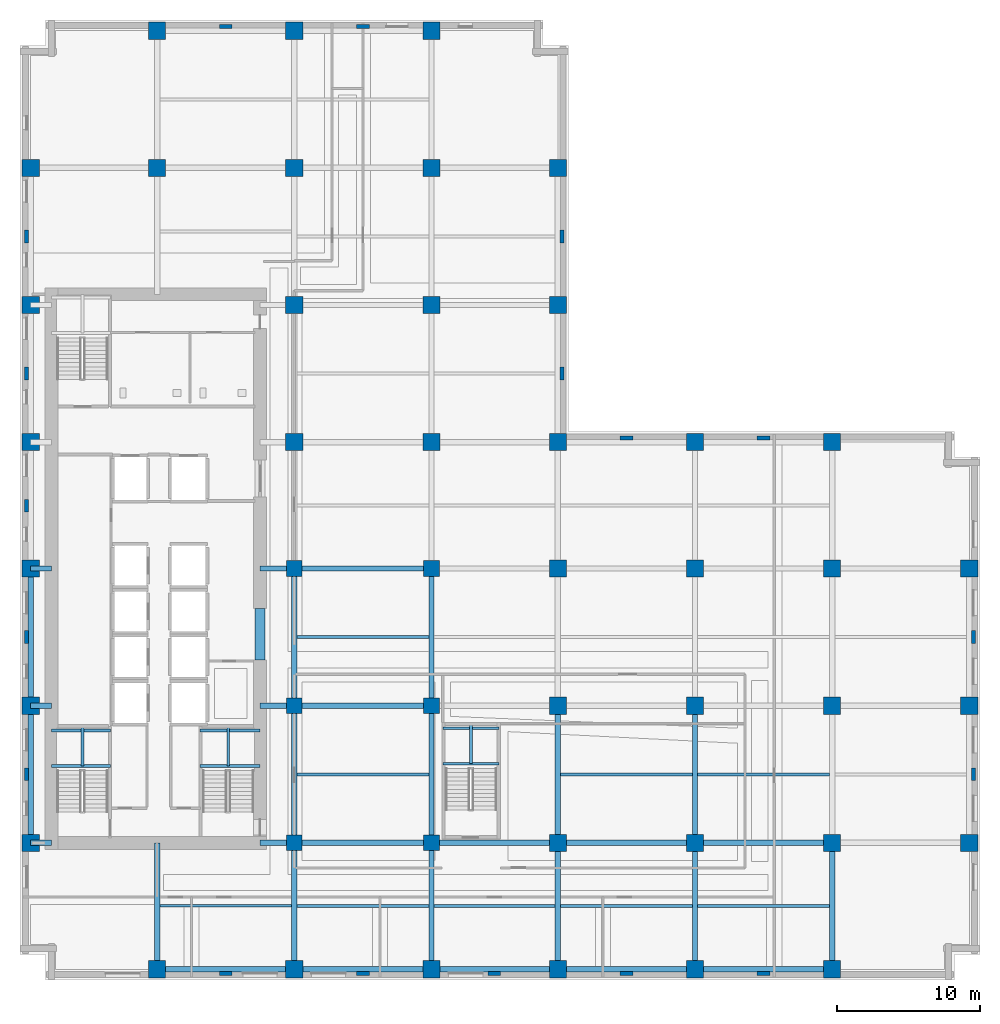
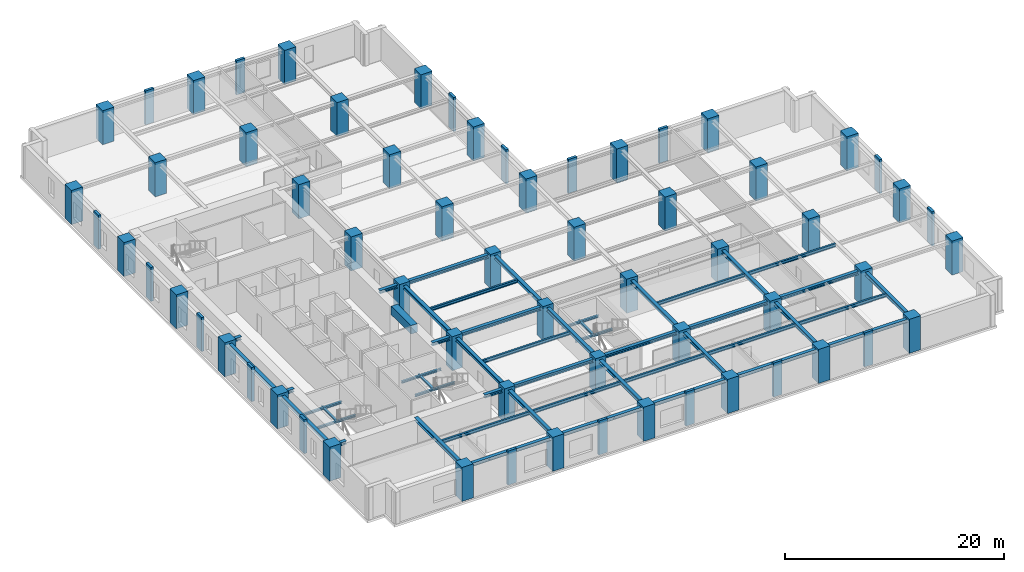
# One storey, part 1 of 13: 63 columns, 50 beams.
"""IFC4 building model written with IfcOpenShell, lengths in metres."""

import ifcopenshell
import ifcopenshell.guid

model = None  # the IFC model being written
_history = None  # IfcOwnerHistory: only IFC2X3 demands one
_inside = {}  # id of a spatial element -> (the spatial element, [elements in it])
_under = {}  # id of a project, library or spatial element -> (it, [spatial elements below it])
_declared = {}  # id of a project -> (the project, [libraries it declares])
_typed = {}  # id of a type object -> (the type object, [elements of that type])
_made_of = {}  # id of a material, layer set ... -> (it, [elements and type objects made of it])


def new_model(schema):
    """Start an empty IFC model of exactly this schema.

    Asked for "IFC4X3", IfcOpenShell would pick the latest addendum, in which some entities
    have other attributes; the version numbers below select the first issue.
    IFC2X3 requires an IfcOwnerHistory on every rooted entity: one is made here for all.
    """
    global model, _history
    if schema == "IFC4X3":
        model = ifcopenshell.file(schema_version=(4, 3, 0, 0))
    else:
        model = ifcopenshell.file(schema=schema)
    _inside.clear()
    _under.clear()
    _declared.clear()
    _typed.clear()
    _made_of.clear()
    _history = None
    if model.schema == "IFC2X3":
        org = make("IfcOrganization", Name="unknown")
        user = make(
            "IfcPersonAndOrganization",
            ThePerson=make("IfcPerson", FamilyName="unknown"),
            TheOrganization=org,
        )
        app = make(
            "IfcApplication",
            ApplicationDeveloper=org,
            Version="unknown",
            ApplicationFullName="unknown",
            ApplicationIdentifier="unknown",
        )
        _history = make(
            "IfcOwnerHistory",
            OwningUser=user,
            OwningApplication=app,
            ChangeAction="ADDED",
            CreationDate=0,
        )
    return model


def make(cls, **values):
    """One entity of the class cls with the attributes given. An attribute that is None is left unset."""
    return model.create_entity(
        cls, **{name: value for name, value in values.items() if value is not None}
    )


def rooted(cls, **values):
    """An entity with a GlobalId (a new one), such as an element, a storey or a relation."""
    return make(cls, GlobalId=ifcopenshell.guid.new(), OwnerHistory=_history, **values)


def si_unit(unit_type, name, prefix=None):
    """IfcSIUnit, for example si_unit("LENGTHUNIT", "METRE", prefix="MILLI")."""
    return make("IfcSIUnit", UnitType=unit_type, Prefix=prefix, Name=name)


def assignment(units):
    """IfcUnitAssignment: the units of a project."""
    return None if units is None else make("IfcUnitAssignment", Units=units)


def point(xyz):
    """IfcCartesianPoint."""
    return None if xyz is None else make("IfcCartesianPoint", Coordinates=xyz)


def direction(xyz):
    """IfcDirection."""
    return None if xyz is None else make("IfcDirection", DirectionRatios=xyz)


def frame(location, z_axis=None, x_axis=None):
    """IfcAxis2Placement3D, a coordinate frame: its origin and axes. An axis left out is left unset."""
    return make(
        "IfcAxis2Placement3D",
        Location=point(location),
        Axis=direction(z_axis),
        RefDirection=direction(x_axis),
    )


def frame_2d(location, x_axis=None):
    """IfcAxis2Placement2D, a coordinate frame in the plane: its origin and x axis."""
    return make(
        "IfcAxis2Placement2D", Location=point(location), RefDirection=direction(x_axis)
    )


def origin():
    """The frame at (0, 0, 0) with its axes left unset."""
    return frame((0.0, 0.0, 0.0))


def origin_2d():
    """The frame at (0, 0) in the plane with its x axis left unset."""
    return frame_2d((0.0, 0.0))


def place(relative_to, where):
    """IfcLocalPlacement: puts the frame where relative to a parent placement (None: the world)."""
    return make(
        "IfcLocalPlacement", PlacementRelTo=relative_to, RelativePlacement=where
    )


def context(
    kind, dimensions, precision=None, world=None, true_north=None, identifier=None
):
    """IfcGeometricRepresentationContext, for example the 3D "Model" context."""
    return make(
        "IfcGeometricRepresentationContext",
        ContextIdentifier=identifier,
        ContextType=kind,
        CoordinateSpaceDimension=dimensions,
        Precision=precision,
        WorldCoordinateSystem=world,
        TrueNorth=true_north,
    )


def subcontext(parent, identifier, kind, view, scale=None):
    """IfcGeometricRepresentationSubContext, for example "Body" below "Model"."""
    return make(
        "IfcGeometricRepresentationSubContext",
        ContextIdentifier=identifier,
        ContextType=kind,
        ParentContext=parent,
        TargetScale=scale,
        TargetView=view,
    )


def project(units=None, contexts=None):
    """IfcProject with its units and contexts."""
    return rooted(
        "IfcProject",
        Name="project",
        RepresentationContexts=contexts,
        UnitsInContext=assignment(units),
    )


def spatial(cls, under=None, at=None, **own):
    """A site, building, storey or space (cls), placed at a placement, below another one or the project."""
    s = rooted(cls, ObjectPlacement=at, **own)
    if under is not None:
        _under.setdefault(under.id(), (under, []))[1].append(s)
    return s


def profile(cls, at=None, kind="AREA", **sizes):
    """A parametric profile (cls). Its sizes go by their IFC names, for example OverallWidth=200.0."""
    return make(cls, ProfileType=kind, Position=at, **sizes)


def rectangle(**sizes):
    """IfcRectangleProfileDef."""
    return profile("IfcRectangleProfileDef", **sizes)


def i_section(**sizes):
    """IfcIShapeProfileDef."""
    return profile("IfcIShapeProfileDef", **sizes)


def extrude(swept, where, along, depth):
    """IfcExtrudedAreaSolid: the profile swept, set in the frame where, extruded along a direction by depth."""
    return make(
        "IfcExtrudedAreaSolid",
        SweptArea=swept,
        Position=where,
        ExtrudedDirection=direction(along),
        Depth=depth,
    )


def shape(context_of_items, identifier, shape_type, items):
    """IfcShapeRepresentation: the items that make up one representation, for example the "Body"."""
    return make(
        "IfcShapeRepresentation",
        ContextOfItems=context_of_items,
        RepresentationIdentifier=identifier,
        RepresentationType=shape_type,
        Items=items,
    )


def material(Name=None, Category=None):
    """IfcMaterial."""
    return make("IfcMaterial", Name=Name, Category=Category)


def material_profile(
    of_material, cross_section, Name=None, Category=None, Priority=None
):
    """IfcMaterialProfile: a cross section and its material."""
    return make(
        "IfcMaterialProfile",
        Name=Name,
        Material=of_material,
        Profile=cross_section,
        Priority=Priority,
        Category=Category,
    )


def profile_set(profiles, Name=None, composite=None):
    """IfcMaterialProfileSet."""
    return make(
        "IfcMaterialProfileSet",
        Name=Name,
        MaterialProfiles=profiles,
        CompositeProfile=composite,
    )


def made_of(thing, what):
    """Note that an element or type object is made of a material, layer set ...; save() writes the relation."""
    if what is not None:
        _made_of.setdefault(what.id(), (what, []))[1].append(thing)
    return thing


def type_object(cls, material=None, **own):
    """A type object (cls), such as IfcWallType, which elements share."""
    return made_of(rooted(cls, **own), material)


def element(
    cls,
    number,
    at=None,
    inside=None,
    cuts=None,
    type_object=None,
    material=None,
    context=None,
    identifier="Body",
    shape_type=None,
    held_by="IfcProductDefinitionShape",
    body=None,
    shapes=None,
    **own,
):
    """One element of the class cls, such as IfcWall. Its Tag is "e" and its number.

    at: its placement. inside: the storey or other place that contains it. cuts: it is an
    opening in that element (IfcRelVoidsElement). A single representation is given by context,
    identifier, shape_type and body (its items); several are given by shapes. held_by: the class
    of the entity that holds the representations. save() writes the other relations.
    """
    e = rooted(cls, Tag="e%d" % number, ObjectPlacement=at, **own)
    if body is not None:
        shapes = [shape(context, identifier, shape_type, body)]
    if shapes is not None:
        e.Representation = make(held_by, Representations=shapes)
    if inside is not None:
        _inside.setdefault(inside.id(), (inside, []))[1].append(e)
    if cuts is not None:
        rooted(
            "IfcRelVoidsElement", RelatingBuildingElement=cuts, RelatedOpeningElement=e
        )
    if type_object is not None:
        _typed.setdefault(type_object.id(), (type_object, []))[1].append(e)
    return made_of(e, material)


def aggregate(whole, parts):
    """IfcRelAggregates: a whole, such as a stair, and the parts it consists of."""
    return rooted("IfcRelAggregates", RelatingObject=whole, RelatedObjects=parts)


def save(model, path):
    """Write the relations noted so far, then the file.

    IfcRelAggregates (storeys below a building ...), IfcRelContainedInSpatialStructure (elements
    in a storey), IfcRelDefinesByType, IfcRelAssociatesMaterial and IfcRelDeclares: one each for
    every whole, place, type object, material and project.
    """
    for whole, parts in _under.values():
        aggregate(whole, parts)
    for where, things in _inside.values():
        rooted(
            "IfcRelContainedInSpatialStructure",
            RelatedElements=things,
            RelatingStructure=where,
        )
    for kind, things in _typed.values():
        rooted("IfcRelDefinesByType", RelatedObjects=things, RelatingType=kind)
    for what, things in _made_of.values():
        rooted("IfcRelAssociatesMaterial", RelatedObjects=things, RelatingMaterial=what)
    for by, libraries in _declared.values():
        rooted("IfcRelDeclares", RelatingContext=by, RelatedDefinitions=libraries)
    model.write(path)


model = new_model("IFC4")

# Units and contexts
model_context = context("Model", 3, precision=1e-05, world=origin(), true_north=direction((0.0, 1.0)))
body_context = subcontext(model_context, "Body", "Model", "MODEL_VIEW")
ifc_project = project(units=[si_unit("LENGTHUNIT", "METRE"), si_unit("AREAUNIT", "SQUARE_METRE"), si_unit("VOLUMEUNIT", "CUBIC_METRE"), si_unit("PLANEANGLEUNIT", "RADIAN"), si_unit("MASSUNIT", "GRAM", prefix="KILO")], contexts=[model_context])

# Site, building, storey
site_placement = place(None, origin())
site = spatial("IfcSite", under=ifc_project, at=site_placement, CompositionType="ELEMENT")
building_placement = place(site_placement, origin())
building = spatial("IfcBuilding", under=site, at=building_placement, Name="Norrvale University Quadrangle", CompositionType="ELEMENT")
storey_placement = place(building_placement, frame((0.0, 0.0, 43.199951171875)))
storey = spatial("IfcBuildingStorey", under=building, at=storey_placement, Name="L10", CompositionType="ELEMENT", Elevation=43.199951171875)

# Columns
ifc_material_1 = material(Name="Buff Brick Concrete C60/75", Category="concrete")
ifc_material_profile_1 = material_profile(ifc_material_1, rectangle(XDim=0.89990234375, YDim=0.280029296875, at=origin_2d()), Name="Buff Brick Concrete C60/75")
ifc_profile_set_1 = profile_set([ifc_material_profile_1], Name="Buff Brick Concrete C60/75")
column_type_1 = type_object("IfcColumnType", Name="Column Buff Pier 900x280", PredefinedType="PILASTER", material=ifc_profile_set_1)
for number, where, z_axis, x_axis, name in (
    (1, (0.449951171875, 14.39990234375, 0.0), (0.0, 0.0, 1.0), (0.0, 1.0, 0.0), "Exterior Brick Facade Pilaster L10-01"),
    (2, (0.449951171875, 24.0, 0.0), (0.0, 0.0, 1.0), (0.0, 1.0, 0.0), "Exterior Brick Facade Pilaster L10-02"),
    (3, (0.449951171875, 33.199951171875, 0.0), (0.0, 0.0, 1.0), (0.0, 1.0, 0.0), "Exterior Brick Facade Pilaster L10-03"),
    (4, (0.449951171875, 42.449951171875, 0.0), (0.0, 0.0, 1.0), (0.0, 1.0, 0.0), "Exterior Brick Facade Pilaster L10-04"),
    (5, (0.449951171875, 52.050048828125, 0.0), (0.0, 0.0, 1.0), (0.0, 1.0, 0.0), "Exterior Brick Facade Pilaster L10-05"),
    (6, (14.39990234375, 0.449951171875, 0.0), (0.0, 0.0, 1.0), (1.0, 0.0, 0.0), "Exterior Brick Facade Pilaster L10-06"),
    (7, (24.0, 0.449951171875, 0.0), (0.0, 0.0, 1.0), (1.0, 0.0, 0.0), "Exterior Brick Facade Pilaster L10-07"),
    (8, (33.199951171875, 0.449951171875, 0.0), (0.0, 0.0, 1.0), (1.0, 0.0, 0.0), "Exterior Brick Facade Pilaster L10-08"),
    (9, (42.449951171875, 0.449951171875, 0.0), (0.0, 0.0, 1.0), (1.0, 0.0, 0.0), "Exterior Brick Facade Pilaster L10-09"),
    (10, (52.050048828125, 0.449951171875, 0.0), (0.0, 0.0, 1.0), (1.0, 0.0, 0.0), "Exterior Brick Facade Pilaster L10-10"),
    (11, (66.75, 14.39990234375, 0.0), (0.0, 0.0, 1.0), (0.0, 1.0, 0.0), "Exterior Brick Facade Pilaster L10-11"),
    (12, (66.75, 24.0, 0.0), (0.0, 0.0, 1.0), (0.0, 1.0, 0.0), "Exterior Brick Facade Pilaster L10-12"),
    (13, (14.39990234375, 66.75, 0.0), (0.0, 0.0, 1.0), (1.0, 0.0, 0.0), "Exterior Brick Facade Pilaster L10-13"),
    (14, (24.0, 66.75, 0.0), (0.0, 0.0, 1.0), (1.0, 0.0, 0.0), "Exterior Brick Facade Pilaster L10-14"),
    (15, (37.949951171875, 42.449951171875, 0.0), (0.0, 0.0, 1.0), (0.0, 1.0, 0.0), "Exterior Brick Facade Pilaster L10-15"),
    (16, (37.949951171875, 52.050048828125, 0.0), (0.0, 0.0, 1.0), (0.0, 1.0, 0.0), "Exterior Brick Facade Pilaster L10-16"),
    (17, (42.449951171875, 37.949951171875, 0.0), (0.0, 0.0, 1.0), (1.0, 0.0, 0.0), "Exterior Brick Facade Pilaster L10-17"),
    (18, (52.050048828125, 37.949951171875, 0.0), (0.0, 0.0, 1.0), (1.0, 0.0, 0.0), "Exterior Brick Facade Pilaster L10-18"),
):
    element("IfcColumn", number, at=place(storey_placement, frame(where, z_axis=z_axis, x_axis=x_axis)), inside=storey, type_object=column_type_1, Name=name, PredefinedType="PILASTER", context=body_context, shape_type="SweptSolid", body=[
        extrude(rectangle(XDim=0.89990234375, YDim=0.280029296875, at=origin_2d()), origin(), (0.0, 0.0, 1.0), 3.800048828125),
    ])
ifc_material_2 = material(Name="Concrete C80/95", Category="concrete")
ifc_material_profile_2 = material_profile(ifc_material_2, rectangle(XDim=1.10009765625, YDim=1.10009765625, at=origin_2d()), Name="Concrete C80/95")
ifc_profile_set_2 = profile_set([ifc_material_profile_2], Name="Concrete C80/95")
column_type_2 = type_object("IfcColumnType", Name="Column Tower Z1 1100x1100", PredefinedType="COLUMN", material=ifc_profile_set_2)
for number, where, z_axis, x_axis, name in (
    (19, (19.199951171875, 9.60009765625, 0.0), (0.0, 0.0, 1.0), (1.0, 0.0, 0.0), "Tower Column L10-T11"),
    (20, (19.199951171875, 19.199951171875, 0.0), (0.0, 0.0, 1.0), (1.0, 0.0, 0.0), "Tower Column L10-T12"),
    (21, (19.199951171875, 28.800048828125, 0.0), (0.0, 0.0, 1.0), (1.0, 0.0, 0.0), "Tower Column L10-T13"),
    (22, (28.800048828125, 9.60009765625, 0.0), (0.0, 0.0, 1.0), (1.0, 0.0, 0.0), "Tower Column L10-T19"),
    (23, (28.800048828125, 19.199951171875, 0.0), (0.0, 0.0, 1.0), (1.0, 0.0, 0.0), "Tower Column L10-T20"),
    (24, (28.800048828125, 28.800048828125, 0.0), (0.0, 0.0, 1.0), (1.0, 0.0, 0.0), "Tower Column L10-T21"),
):
    element("IfcColumn", number, at=place(storey_placement, frame(where, z_axis=z_axis, x_axis=x_axis)), inside=storey, type_object=column_type_2, Name=name, PredefinedType="COLUMN", context=body_context, shape_type="SweptSolid", body=[
        extrude(rectangle(XDim=1.10009765625, YDim=1.10009765625, at=origin_2d()), origin(), (0.0, 0.0, 1.0), 3.800048828125),
    ])
ifc_material_profile_3 = material_profile(ifc_material_2, rectangle(XDim=1.199951171875, YDim=1.199951171875, at=origin_2d()), Name="Concrete C80/95")
ifc_profile_set_3 = profile_set([ifc_material_profile_3], Name="Concrete C80/95")
column_type_3 = type_object("IfcColumnType", Name="Column Tower Z1 1200x1200", PredefinedType="COLUMN", material=ifc_profile_set_3)
for number, where, z_axis, x_axis, name in (
    (25, (0.75, 9.60009765625, 0.0), (0.0, 0.0, 1.0), (1.0, 0.0, 0.0), "Tower Column L10-T01"),
    (26, (0.75, 19.199951171875, 0.0), (0.0, 0.0, 1.0), (1.0, 0.0, 0.0), "Tower Column L10-T02"),
    (27, (0.75, 28.800048828125, 0.0), (0.0, 0.0, 1.0), (1.0, 0.0, 0.0), "Tower Column L10-T03"),
    (28, (0.75, 37.64990234375, 0.0), (0.0, 0.0, 1.0), (1.0, 0.0, 0.0), "Tower Column L10-T04"),
    (29, (0.75, 47.25, 0.0), (0.0, 0.0, 1.0), (1.0, 0.0, 0.0), "Tower Column L10-T05"),
    (30, (0.75, 56.85009765625, 0.0), (0.0, 0.0, 1.0), (1.0, 0.0, 0.0), "Tower Column L10-T06"),
    (31, (9.60009765625, 0.75, 0.0), (0.0, 0.0, 1.0), (1.0, 0.0, 0.0), "Tower Column L10-T07"),
    (32, (9.60009765625, 56.85009765625, 0.0), (0.0, 0.0, 1.0), (1.0, 0.0, 0.0), "Tower Column L10-T08"),
    (33, (9.60009765625, 66.449951171875, 0.0), (0.0, 0.0, 1.0), (1.0, 0.0, 0.0), "Tower Column L10-T09"),
    (34, (19.199951171875, 0.75, 0.0), (0.0, 0.0, 1.0), (1.0, 0.0, 0.0), "Tower Column L10-T10"),
    (35, (19.199951171875, 37.64990234375, 0.0), (0.0, 0.0, 1.0), (1.0, 0.0, 0.0), "Tower Column L10-T14"),
    (36, (19.199951171875, 47.25, 0.0), (0.0, 0.0, 1.0), (1.0, 0.0, 0.0), "Tower Column L10-T15"),
    (37, (19.199951171875, 56.85009765625, 0.0), (0.0, 0.0, 1.0), (1.0, 0.0, 0.0), "Tower Column L10-T16"),
    (38, (19.199951171875, 66.449951171875, 0.0), (0.0, 0.0, 1.0), (1.0, 0.0, 0.0), "Tower Column L10-T17"),
    (39, (28.800048828125, 0.75, 0.0), (0.0, 0.0, 1.0), (1.0, 0.0, 0.0), "Tower Column L10-T18"),
    (40, (28.800048828125, 37.64990234375, 0.0), (0.0, 0.0, 1.0), (1.0, 0.0, 0.0), "Tower Column L10-T22"),
    (41, (28.800048828125, 47.25, 0.0), (0.0, 0.0, 1.0), (1.0, 0.0, 0.0), "Tower Column L10-T23"),
    (42, (28.800048828125, 56.85009765625, 0.0), (0.0, 0.0, 1.0), (1.0, 0.0, 0.0), "Tower Column L10-T24"),
    (43, (28.800048828125, 66.449951171875, 0.0), (0.0, 0.0, 1.0), (1.0, 0.0, 0.0), "Tower Column L10-T25"),
    (44, (37.64990234375, 0.75, 0.0), (0.0, 0.0, 1.0), (1.0, 0.0, 0.0), "Tower Column L10-T26"),
    (45, (37.64990234375, 9.60009765625, 0.0), (0.0, 0.0, 1.0), (1.0, 0.0, 0.0), "Tower Column L10-T27"),
    (46, (37.64990234375, 19.199951171875, 0.0), (0.0, 0.0, 1.0), (1.0, 0.0, 0.0), "Tower Column L10-T28"),
    (47, (37.64990234375, 28.800048828125, 0.0), (0.0, 0.0, 1.0), (1.0, 0.0, 0.0), "Tower Column L10-T29"),
    (48, (37.64990234375, 37.64990234375, 0.0), (0.0, 0.0, 1.0), (1.0, 0.0, 0.0), "Tower Column L10-T30"),
    (49, (37.64990234375, 47.25, 0.0), (0.0, 0.0, 1.0), (1.0, 0.0, 0.0), "Tower Column L10-T31"),
    (50, (37.64990234375, 56.85009765625, 0.0), (0.0, 0.0, 1.0), (1.0, 0.0, 0.0), "Tower Column L10-T32"),
    (51, (47.25, 0.75, 0.0), (0.0, 0.0, 1.0), (1.0, 0.0, 0.0), "Tower Column L10-T33"),
    (52, (47.25, 9.60009765625, 0.0), (0.0, 0.0, 1.0), (1.0, 0.0, 0.0), "Tower Column L10-T34"),
    (53, (47.25, 19.199951171875, 0.0), (0.0, 0.0, 1.0), (1.0, 0.0, 0.0), "Tower Column L10-T35"),
    (54, (47.25, 28.800048828125, 0.0), (0.0, 0.0, 1.0), (1.0, 0.0, 0.0), "Tower Column L10-T36"),
    (55, (47.25, 37.64990234375, 0.0), (0.0, 0.0, 1.0), (1.0, 0.0, 0.0), "Tower Column L10-T37"),
    (56, (56.85009765625, 0.75, 0.0), (0.0, 0.0, 1.0), (1.0, 0.0, 0.0), "Tower Column L10-T38"),
    (57, (56.85009765625, 9.60009765625, 0.0), (0.0, 0.0, 1.0), (1.0, 0.0, 0.0), "Tower Column L10-T39"),
    (58, (56.85009765625, 19.199951171875, 0.0), (0.0, 0.0, 1.0), (1.0, 0.0, 0.0), "Tower Column L10-T40"),
    (59, (56.85009765625, 28.800048828125, 0.0), (0.0, 0.0, 1.0), (1.0, 0.0, 0.0), "Tower Column L10-T41"),
    (60, (56.85009765625, 37.64990234375, 0.0), (0.0, 0.0, 1.0), (1.0, 0.0, 0.0), "Tower Column L10-T42"),
    (61, (66.449951171875, 9.60009765625, 0.0), (0.0, 0.0, 1.0), (1.0, 0.0, 0.0), "Tower Column L10-T43"),
    (62, (66.449951171875, 19.199951171875, 0.0), (0.0, 0.0, 1.0), (1.0, 0.0, 0.0), "Tower Column L10-T44"),
    (63, (66.449951171875, 28.800048828125, 0.0), (0.0, 0.0, 1.0), (1.0, 0.0, 0.0), "Tower Column L10-T45"),
):
    element("IfcColumn", number, at=place(storey_placement, frame(where, z_axis=z_axis, x_axis=x_axis)), inside=storey, type_object=column_type_3, Name=name, PredefinedType="COLUMN", context=body_context, shape_type="SweptSolid", body=[
        extrude(rectangle(XDim=1.199951171875, YDim=1.199951171875, at=origin_2d()), origin(), (0.0, 0.0, 1.0), 3.800048828125),
    ])

# Beams
ifc_material_profile_4 = material_profile(ifc_material_2, rectangle(XDim=0.699951171875, YDim=0.949951171875, at=origin_2d()), Name="Concrete C80/95")
ifc_profile_set_4 = profile_set([ifc_material_profile_4], Name="Concrete C80/95")
beam_type_1 = type_object("IfcBeamType", Name="Beam Core Link 700x950", PredefinedType="LINTEL", material=ifc_profile_set_4)
beam_1_placement = place(storey_placement, frame((16.800048828125, 22.39990234375, 3.06494140625), z_axis=(0.0, 1.0, 0.0), x_axis=(-1.0, 0.0, 0.0)))
element("IfcBeam", 64, at=beam_1_placement, inside=storey, type_object=beam_type_1, Name="Core Coupling Lintel Beam L10-1", PredefinedType="LINTEL", context=body_context, shape_type="SweptSolid", body=[
    extrude(rectangle(XDim=0.699951171875, YDim=0.949951171875, at=origin_2d()), origin(), (0.0, 0.0, 1.0), 3.60009765625),
])
ifc_material_3 = material(Name="Steel 350W", Category="steel")
ifc_material_profile_5 = material_profile(ifc_material_3, i_section(OverallWidth=0.368896484375, OverallDepth=0.35595703125, WebThickness=0.01123046875, FlangeThickness=0.01806640625, FilletRadius=0.014892578125, at=origin_2d()), Name="Steel 350W")
ifc_profile_set_5 = profile_set([ifc_material_profile_5], Name="Steel 350W")
beam_type_2 = type_object("IfcBeamType", Name="Beam Crown W360x134", PredefinedType="BEAM", material=ifc_profile_set_5)
beam_2_placement = place(storey_placement, frame((9.60009765625, 0.75, 3.362060546875), z_axis=(1.0, 0.0, 0.0), x_axis=(0.0, 1.0, 0.0)))
element("IfcBeam", 65, at=beam_2_placement, inside=storey, type_object=beam_type_2, Name="Beam Crown W360x134 BM-L10-GX001", PredefinedType="BEAM", context=body_context, shape_type="SweptSolid", body=[
    extrude(i_section(OverallWidth=0.368896484375, OverallDepth=0.35595703125, WebThickness=0.01123046875, FlangeThickness=0.01806640625, FilletRadius=0.014892578125, at=origin_2d()), origin(), (0.0, 0.0, 1.0), 9.599853515625),
])
beam_3_placement = place(storey_placement, frame((19.199951171875, 0.75, 3.362060546875), z_axis=(1.0, 0.0, 0.0), x_axis=(0.0, 1.0, 0.0)))
element("IfcBeam", 66, at=beam_3_placement, inside=storey, type_object=beam_type_2, Name="Beam Crown W360x134 BM-L10-GX002", PredefinedType="BEAM", context=body_context, shape_type="SweptSolid", body=[
    extrude(i_section(OverallWidth=0.368896484375, OverallDepth=0.35595703125, WebThickness=0.01123046875, FlangeThickness=0.01806640625, FilletRadius=0.014892578125, at=origin_2d()), origin(), (0.0, 0.0, 1.0), 9.60009765625),
])
beam_4_placement = place(storey_placement, frame((28.800048828125, 0.75, 3.362060546875), z_axis=(1.0, 0.0, 0.0), x_axis=(0.0, 1.0, 0.0)))
element("IfcBeam", 67, at=beam_4_placement, inside=storey, type_object=beam_type_2, Name="Beam Crown W360x134 BM-L10-GX003", PredefinedType="BEAM", context=body_context, shape_type="SweptSolid", body=[
    extrude(i_section(OverallWidth=0.368896484375, OverallDepth=0.35595703125, WebThickness=0.01123046875, FlangeThickness=0.01806640625, FilletRadius=0.014892578125, at=origin_2d()), origin(), (0.0, 0.0, 1.0), 8.849853515625),
])
for number, where, z_axis, x_axis, name in (
    (68, (37.64990234375, 0.75, 3.362060546875), (1.0, 0.0, 0.0), (0.0, 1.0, 0.0), "Beam Crown W360x134 BM-L10-GX004"),
    (69, (47.25, 0.75, 3.362060546875), (1.0, 0.0, 0.0), (0.0, 1.0, 0.0), "Beam Crown W360x134 BM-L10-GX005"),
    (70, (19.199951171875, 9.60009765625, 3.362060546875), (1.0, 0.0, 0.0), (0.0, 1.0, 0.0), "Beam Crown W360x134 BM-L10-GX006"),
):
    element("IfcBeam", number, at=place(storey_placement, frame(where, z_axis=z_axis, x_axis=x_axis)), inside=storey, type_object=beam_type_2, Name=name, PredefinedType="BEAM", context=body_context, shape_type="SweptSolid", body=[
        extrude(i_section(OverallWidth=0.368896484375, OverallDepth=0.35595703125, WebThickness=0.01123046875, FlangeThickness=0.01806640625, FilletRadius=0.014892578125, at=origin_2d()), origin(), (0.0, 0.0, 1.0), 9.60009765625),
    ])
beam_5_placement = place(storey_placement, frame((28.800048828125, 9.60009765625, 3.362060546875), z_axis=(1.0, 0.0, 0.0), x_axis=(0.0, 1.0, 0.0)))
element("IfcBeam", 71, at=beam_5_placement, inside=storey, type_object=beam_type_2, Name="Beam Crown W360x134 BM-L10-GX007", PredefinedType="BEAM", context=body_context, shape_type="SweptSolid", body=[
    extrude(i_section(OverallWidth=0.368896484375, OverallDepth=0.35595703125, WebThickness=0.01123046875, FlangeThickness=0.01806640625, FilletRadius=0.014892578125, at=origin_2d()), origin(), (0.0, 0.0, 1.0), 8.849853515625),
])
for number, where, z_axis, x_axis, name in (
    (72, (37.64990234375, 9.60009765625, 3.362060546875), (1.0, 0.0, 0.0), (0.0, 1.0, 0.0), "Beam Crown W360x134 BM-L10-GX008"),
    (73, (47.25, 9.60009765625, 3.362060546875), (1.0, 0.0, 0.0), (0.0, 1.0, 0.0), "Beam Crown W360x134 BM-L10-GX009"),
    (74, (19.199951171875, 19.199951171875, 3.362060546875), (1.0, 0.0, 0.0), (0.0, 1.0, 0.0), "Beam Crown W360x134 BM-L10-GX011"),
    (75, (19.199951171875, 28.800048828125, 3.362060546875), (1.0, 0.0, 0.0), (0.0, 1.0, 0.0), "Beam Crown W360x134 BM-L10-GX016"),
):
    element("IfcBeam", number, at=place(storey_placement, frame(where, z_axis=z_axis, x_axis=x_axis)), inside=storey, type_object=beam_type_2, Name=name, PredefinedType="BEAM", context=body_context, shape_type="SweptSolid", body=[
        extrude(i_section(OverallWidth=0.368896484375, OverallDepth=0.35595703125, WebThickness=0.01123046875, FlangeThickness=0.01806640625, FilletRadius=0.014892578125, at=origin_2d()), origin(), (0.0, 0.0, 1.0), 9.60009765625),
    ])
beam_6_placement = place(storey_placement, frame((0.75, 9.60009765625, 3.362060546875), z_axis=(0.0, 1.0, 0.0), x_axis=(-1.0, 0.0, 0.0)))
element("IfcBeam", 76, at=beam_6_placement, inside=storey, type_object=beam_type_2, Name="Beam Crown W360x134 BM-L10-GY033", PredefinedType="BEAM", context=body_context, shape_type="SweptSolid", body=[
    extrude(i_section(OverallWidth=0.368896484375, OverallDepth=0.35595703125, WebThickness=0.01123046875, FlangeThickness=0.01806640625, FilletRadius=0.014892578125, at=origin_2d()), origin(), (0.0, 0.0, 1.0), 9.599853515625),
])
beam_7_placement = place(storey_placement, frame((0.75, 19.199951171875, 3.362060546875), z_axis=(0.0, 1.0, 0.0), x_axis=(-1.0, 0.0, 0.0)))
element("IfcBeam", 77, at=beam_7_placement, inside=storey, type_object=beam_type_2, Name="Beam Crown W360x134 BM-L10-GY034", PredefinedType="BEAM", context=body_context, shape_type="SweptSolid", body=[
    extrude(i_section(OverallWidth=0.368896484375, OverallDepth=0.35595703125, WebThickness=0.01123046875, FlangeThickness=0.01806640625, FilletRadius=0.014892578125, at=origin_2d()), origin(), (0.0, 0.0, 1.0), 9.60009765625),
])
beam_8_placement = place(storey_placement, frame((19.199951171875, 0.75, 3.362060546875), z_axis=(0.0, 1.0, 0.0), x_axis=(-1.0, 0.0, 0.0)))
element("IfcBeam", 78, at=beam_8_placement, inside=storey, type_object=beam_type_2, Name="Beam Crown W360x134 BM-L10-GY039", PredefinedType="BEAM", context=body_context, shape_type="SweptSolid", body=[
    extrude(i_section(OverallWidth=0.368896484375, OverallDepth=0.35595703125, WebThickness=0.01123046875, FlangeThickness=0.01806640625, FilletRadius=0.014892578125, at=origin_2d()), origin(), (0.0, 0.0, 1.0), 8.85009765625),
])
beam_9_placement = place(storey_placement, frame((19.199951171875, 9.60009765625, 3.362060546875), z_axis=(0.0, 1.0, 0.0), x_axis=(-1.0, 0.0, 0.0)))
element("IfcBeam", 79, at=beam_9_placement, inside=storey, type_object=beam_type_2, Name="Beam Crown W360x134 BM-L10-GY040", PredefinedType="BEAM", context=body_context, shape_type="SweptSolid", body=[
    extrude(i_section(OverallWidth=0.368896484375, OverallDepth=0.35595703125, WebThickness=0.01123046875, FlangeThickness=0.01806640625, FilletRadius=0.014892578125, at=origin_2d()), origin(), (0.0, 0.0, 1.0), 9.599853515625),
])
beam_10_placement = place(storey_placement, frame((19.199951171875, 19.199951171875, 3.362060546875), z_axis=(0.0, 1.0, 0.0), x_axis=(-1.0, 0.0, 0.0)))
element("IfcBeam", 80, at=beam_10_placement, inside=storey, type_object=beam_type_2, Name="Beam Crown W360x134 BM-L10-GY041", PredefinedType="BEAM", context=body_context, shape_type="SweptSolid", body=[
    extrude(i_section(OverallWidth=0.368896484375, OverallDepth=0.35595703125, WebThickness=0.01123046875, FlangeThickness=0.01806640625, FilletRadius=0.014892578125, at=origin_2d()), origin(), (0.0, 0.0, 1.0), 9.60009765625),
])
beam_11_placement = place(storey_placement, frame((28.800048828125, 0.75, 3.362060546875), z_axis=(0.0, 1.0, 0.0), x_axis=(-1.0, 0.0, 0.0)))
element("IfcBeam", 81, at=beam_11_placement, inside=storey, type_object=beam_type_2, Name="Beam Crown W360x134 BM-L10-GY046", PredefinedType="BEAM", context=body_context, shape_type="SweptSolid", body=[
    extrude(i_section(OverallWidth=0.368896484375, OverallDepth=0.35595703125, WebThickness=0.01123046875, FlangeThickness=0.01806640625, FilletRadius=0.014892578125, at=origin_2d()), origin(), (0.0, 0.0, 1.0), 8.85009765625),
])
beam_12_placement = place(storey_placement, frame((28.800048828125, 9.60009765625, 3.362060546875), z_axis=(0.0, 1.0, 0.0), x_axis=(-1.0, 0.0, 0.0)))
element("IfcBeam", 82, at=beam_12_placement, inside=storey, type_object=beam_type_2, Name="Beam Crown W360x134 BM-L10-GY047", PredefinedType="BEAM", context=body_context, shape_type="SweptSolid", body=[
    extrude(i_section(OverallWidth=0.368896484375, OverallDepth=0.35595703125, WebThickness=0.01123046875, FlangeThickness=0.01806640625, FilletRadius=0.014892578125, at=origin_2d()), origin(), (0.0, 0.0, 1.0), 9.599853515625),
])
beam_13_placement = place(storey_placement, frame((28.800048828125, 19.199951171875, 3.362060546875), z_axis=(0.0, 1.0, 0.0), x_axis=(-1.0, 0.0, 0.0)))
element("IfcBeam", 83, at=beam_13_placement, inside=storey, type_object=beam_type_2, Name="Beam Crown W360x134 BM-L10-GY048", PredefinedType="BEAM", context=body_context, shape_type="SweptSolid", body=[
    extrude(i_section(OverallWidth=0.368896484375, OverallDepth=0.35595703125, WebThickness=0.01123046875, FlangeThickness=0.01806640625, FilletRadius=0.014892578125, at=origin_2d()), origin(), (0.0, 0.0, 1.0), 9.60009765625),
])
beam_14_placement = place(storey_placement, frame((37.64990234375, 0.75, 3.362060546875), z_axis=(0.0, 1.0, 0.0), x_axis=(-1.0, 0.0, 0.0)))
element("IfcBeam", 84, at=beam_14_placement, inside=storey, type_object=beam_type_2, Name="Beam Crown W360x134 BM-L10-GY053", PredefinedType="BEAM", context=body_context, shape_type="SweptSolid", body=[
    extrude(i_section(OverallWidth=0.368896484375, OverallDepth=0.35595703125, WebThickness=0.01123046875, FlangeThickness=0.01806640625, FilletRadius=0.014892578125, at=origin_2d()), origin(), (0.0, 0.0, 1.0), 8.85009765625),
])
beam_15_placement = place(storey_placement, frame((37.64990234375, 9.60009765625, 3.362060546875), z_axis=(0.0, 1.0, 0.0), x_axis=(-1.0, 0.0, 0.0)))
element("IfcBeam", 85, at=beam_15_placement, inside=storey, type_object=beam_type_2, Name="Beam Crown W360x134 BM-L10-GY054", PredefinedType="BEAM", context=body_context, shape_type="SweptSolid", body=[
    extrude(i_section(OverallWidth=0.368896484375, OverallDepth=0.35595703125, WebThickness=0.01123046875, FlangeThickness=0.01806640625, FilletRadius=0.014892578125, at=origin_2d()), origin(), (0.0, 0.0, 1.0), 9.599853515625),
])
beam_16_placement = place(storey_placement, frame((47.25, 0.75, 3.362060546875), z_axis=(0.0, 1.0, 0.0), x_axis=(-1.0, 0.0, 0.0)))
element("IfcBeam", 86, at=beam_16_placement, inside=storey, type_object=beam_type_2, Name="Beam Crown W360x134 BM-L10-GY059", PredefinedType="BEAM", context=body_context, shape_type="SweptSolid", body=[
    extrude(i_section(OverallWidth=0.368896484375, OverallDepth=0.35595703125, WebThickness=0.01123046875, FlangeThickness=0.01806640625, FilletRadius=0.014892578125, at=origin_2d()), origin(), (0.0, 0.0, 1.0), 8.85009765625),
])
beam_17_placement = place(storey_placement, frame((47.25, 9.60009765625, 3.362060546875), z_axis=(0.0, 1.0, 0.0), x_axis=(-1.0, 0.0, 0.0)))
element("IfcBeam", 87, at=beam_17_placement, inside=storey, type_object=beam_type_2, Name="Beam Crown W360x134 BM-L10-GY060", PredefinedType="BEAM", context=body_context, shape_type="SweptSolid", body=[
    extrude(i_section(OverallWidth=0.368896484375, OverallDepth=0.35595703125, WebThickness=0.01123046875, FlangeThickness=0.01806640625, FilletRadius=0.014892578125, at=origin_2d()), origin(), (0.0, 0.0, 1.0), 9.599853515625),
])
beam_18_placement = place(storey_placement, frame((56.85009765625, 0.75, 3.362060546875), z_axis=(0.0, 1.0, 0.0), x_axis=(-1.0, 0.0, 0.0)))
element("IfcBeam", 88, at=beam_18_placement, inside=storey, type_object=beam_type_2, Name="Beam Crown W360x134 BM-L10-GY063", PredefinedType="BEAM", context=body_context, shape_type="SweptSolid", body=[
    extrude(i_section(OverallWidth=0.368896484375, OverallDepth=0.35595703125, WebThickness=0.01123046875, FlangeThickness=0.01806640625, FilletRadius=0.014892578125, at=origin_2d()), origin(), (0.0, 0.0, 1.0), 8.85009765625),
])
beam_19_placement = place(storey_placement, frame((0.75, 9.60009765625, 3.362060546875), z_axis=(1.0, 0.0, 0.0), x_axis=(0.0, 1.0, 0.0)))
element("IfcBeam", 89, at=beam_19_placement, inside=storey, type_object=beam_type_2, Name="Beam Crown W360x134 BM-L10-GCW069", PredefinedType="BEAM", context=body_context, shape_type="SweptSolid", body=[
    extrude(i_section(OverallWidth=0.368896484375, OverallDepth=0.35595703125, WebThickness=0.01123046875, FlangeThickness=0.01806640625, FilletRadius=0.014892578125, at=origin_2d()), origin(), (0.0, 0.0, 1.0), 1.449951171875),
])
beam_20_placement = place(storey_placement, frame((16.800048828125, 9.60009765625, 3.362060546875), z_axis=(1.0, 0.0, 0.0), x_axis=(0.0, 1.0, 0.0)))
element("IfcBeam", 90, at=beam_20_placement, inside=storey, type_object=beam_type_2, Name="Beam Crown W360x134 BM-L10-GCE070", PredefinedType="BEAM", context=body_context, shape_type="SweptSolid", body=[
    extrude(i_section(OverallWidth=0.368896484375, OverallDepth=0.35595703125, WebThickness=0.01123046875, FlangeThickness=0.01806640625, FilletRadius=0.014892578125, at=origin_2d()), origin(), (0.0, 0.0, 1.0), 2.39990234375),
])
beam_21_placement = place(storey_placement, frame((0.75, 19.199951171875, 3.362060546875), z_axis=(1.0, 0.0, 0.0), x_axis=(0.0, 1.0, 0.0)))
element("IfcBeam", 91, at=beam_21_placement, inside=storey, type_object=beam_type_2, Name="Beam Crown W360x134 BM-L10-GCW071", PredefinedType="BEAM", context=body_context, shape_type="SweptSolid", body=[
    extrude(i_section(OverallWidth=0.368896484375, OverallDepth=0.35595703125, WebThickness=0.01123046875, FlangeThickness=0.01806640625, FilletRadius=0.014892578125, at=origin_2d()), origin(), (0.0, 0.0, 1.0), 1.449951171875),
])
beam_22_placement = place(storey_placement, frame((16.800048828125, 19.199951171875, 3.362060546875), z_axis=(1.0, 0.0, 0.0), x_axis=(0.0, 1.0, 0.0)))
element("IfcBeam", 92, at=beam_22_placement, inside=storey, type_object=beam_type_2, Name="Beam Crown W360x134 BM-L10-GCE072", PredefinedType="BEAM", context=body_context, shape_type="SweptSolid", body=[
    extrude(i_section(OverallWidth=0.368896484375, OverallDepth=0.35595703125, WebThickness=0.01123046875, FlangeThickness=0.01806640625, FilletRadius=0.014892578125, at=origin_2d()), origin(), (0.0, 0.0, 1.0), 2.39990234375),
])
beam_23_placement = place(storey_placement, frame((0.75, 28.800048828125, 3.362060546875), z_axis=(1.0, 0.0, 0.0), x_axis=(0.0, 1.0, 0.0)))
element("IfcBeam", 93, at=beam_23_placement, inside=storey, type_object=beam_type_2, Name="Beam Crown W360x134 BM-L10-GCW073", PredefinedType="BEAM", context=body_context, shape_type="SweptSolid", body=[
    extrude(i_section(OverallWidth=0.368896484375, OverallDepth=0.35595703125, WebThickness=0.01123046875, FlangeThickness=0.01806640625, FilletRadius=0.014892578125, at=origin_2d()), origin(), (0.0, 0.0, 1.0), 1.449951171875),
])
beam_24_placement = place(storey_placement, frame((16.800048828125, 28.800048828125, 3.362060546875), z_axis=(1.0, 0.0, 0.0), x_axis=(0.0, 1.0, 0.0)))
element("IfcBeam", 94, at=beam_24_placement, inside=storey, type_object=beam_type_2, Name="Beam Crown W360x134 BM-L10-GCE074", PredefinedType="BEAM", context=body_context, shape_type="SweptSolid", body=[
    extrude(i_section(OverallWidth=0.368896484375, OverallDepth=0.35595703125, WebThickness=0.01123046875, FlangeThickness=0.01806640625, FilletRadius=0.014892578125, at=origin_2d()), origin(), (0.0, 0.0, 1.0), 2.39990234375),
])
beam_25_placement = place(storey_placement, frame((9.60009765625, 0.75, 3.362060546875), z_axis=(0.0, 1.0, 0.0), x_axis=(-1.0, 0.0, 0.0)))
element("IfcBeam", 95, at=beam_25_placement, inside=storey, type_object=beam_type_2, Name="Beam Crown W360x134 BM-L10-GCS102", PredefinedType="BEAM", context=body_context, shape_type="SweptSolid", body=[
    extrude(i_section(OverallWidth=0.368896484375, OverallDepth=0.35595703125, WebThickness=0.01123046875, FlangeThickness=0.01806640625, FilletRadius=0.014892578125, at=origin_2d()), origin(), (0.0, 0.0, 1.0), 8.85009765625),
])
ifc_material_profile_6 = material_profile(ifc_material_3, i_section(OverallWidth=0.205078125, OverallDepth=0.35400390625, WebThickness=0.009521484375, FlangeThickness=0.016845703125, FilletRadius=0.011962890625, at=origin_2d()), Name="Steel 350W")
ifc_profile_set_6 = profile_set([ifc_material_profile_6], Name="Steel 350W")
beam_type_3 = type_object("IfcBeamType", Name="Beam Crown W360x79", PredefinedType="BEAM", material=ifc_profile_set_6)
for number, where, z_axis, x_axis, name in (
    (96, (19.384521484375, 5.175048828125, 3.363037109375), (1.0, 0.0, 0.0), (0.0, 1.0, 0.0), "Beam Crown W360x79 BM-L10-J080"),
    (97, (19.384521484375, 14.39990234375, 3.363037109375), (1.0, 0.0, 0.0), (0.0, 1.0, 0.0), "Beam Crown W360x79 BM-L10-J081"),
    (98, (19.384521484375, 24.0, 3.363037109375), (1.0, 0.0, 0.0), (0.0, 1.0, 0.0), "Beam Crown W360x79 BM-L10-J082"),
):
    element("IfcBeam", number, at=place(storey_placement, frame(where, z_axis=z_axis, x_axis=x_axis)), inside=storey, type_object=beam_type_3, Name=name, PredefinedType="BEAM", context=body_context, shape_type="SweptSolid", body=[
        extrude(i_section(OverallWidth=0.205078125, OverallDepth=0.35400390625, WebThickness=0.009521484375, FlangeThickness=0.016845703125, FilletRadius=0.011962890625, at=origin_2d()), origin(), (0.0, 0.0, 1.0), 9.23095703125),
    ])
beam_26_placement = place(storey_placement, frame((28.984619140625, 5.175048828125, 3.363037109375), z_axis=(1.0, 0.0, 0.0), x_axis=(0.0, 1.0, 0.0)))
element("IfcBeam", 99, at=beam_26_placement, inside=storey, type_object=beam_type_3, Name="Beam Crown W360x79 BM-L10-J087", PredefinedType="BEAM", context=body_context, shape_type="SweptSolid", body=[
    extrude(i_section(OverallWidth=0.205078125, OverallDepth=0.35400390625, WebThickness=0.009521484375, FlangeThickness=0.016845703125, FilletRadius=0.011962890625, at=origin_2d()), origin(), (0.0, 0.0, 1.0), 8.48095703125),
])
for number, where, z_axis, x_axis, name in (
    (100, (37.83447265625, 5.175048828125, 3.363037109375), (1.0, 0.0, 0.0), (0.0, 1.0, 0.0), "Beam Crown W360x79 BM-L10-J092"),
    (101, (37.83447265625, 14.39990234375, 3.363037109375), (1.0, 0.0, 0.0), (0.0, 1.0, 0.0), "Beam Crown W360x79 BM-L10-J093"),
    (102, (47.4345703125, 5.175048828125, 3.363037109375), (1.0, 0.0, 0.0), (0.0, 1.0, 0.0), "Beam Crown W360x79 BM-L10-J096"),
    (103, (47.4345703125, 14.39990234375, 3.363037109375), (1.0, 0.0, 0.0), (0.0, 1.0, 0.0), "Beam Crown W360x79 BM-L10-J097"),
    (104, (9.784423828125, 5.199951171875, 3.363037109375), (1.0, 0.0, 0.0), (0.0, 1.0, 0.0), "Beam Crown W360x79 BM-L10-JCS103"),
):
    element("IfcBeam", number, at=place(storey_placement, frame(where, z_axis=z_axis, x_axis=x_axis)), inside=storey, type_object=beam_type_3, Name=name, PredefinedType="BEAM", context=body_context, shape_type="SweptSolid", body=[
        extrude(i_section(OverallWidth=0.205078125, OverallDepth=0.35400390625, WebThickness=0.009521484375, FlangeThickness=0.016845703125, FilletRadius=0.011962890625, at=origin_2d()), origin(), (0.0, 0.0, 1.0), 9.23095703125),
    ])
ifc_material_profile_7 = material_profile(ifc_material_3, i_section(OverallWidth=0.201904296875, OverallDepth=0.2470703125, WebThickness=0.00732421875, FlangeThickness=0.010986328125, FilletRadius=0.011962890625, at=origin_2d()), Name="Steel 350W")
ifc_profile_set_7 = profile_set([ifc_material_profile_7], Name="Steel 350W")
beam_type_4 = type_object("IfcBeamType", Name="Beam Stair W250x49", PredefinedType="BEAM", material=ifc_profile_set_7)
for number, where, z_axis, x_axis, name in (
    (105, (2.199951171875, 14.989990234375, 1.57666015625), (1.0, 0.0, 0.0), (0.0, 1.0, 0.0), "Stair Mid-Landing Front Beam ST-01 L10"),
    (106, (2.199951171875, 17.469970703125, 1.57666015625), (1.0, 0.0, 0.0), (0.0, 1.0, 0.0), "Stair Mid-Landing Rear Beam ST-01 L10"),
):
    element("IfcBeam", number, at=place(storey_placement, frame(where, z_axis=z_axis, x_axis=x_axis)), inside=storey, type_object=beam_type_4, Name=name, PredefinedType="BEAM", context=body_context, shape_type="SweptSolid", body=[
        extrude(i_section(OverallWidth=0.201904296875, OverallDepth=0.2470703125, WebThickness=0.00732421875, FlangeThickness=0.010986328125, FilletRadius=0.011962890625, at=origin_2d()), origin(), (0.0, 0.0, 1.0), 4.14013671875),
    ])
for number, where, z_axis, x_axis, name in (
    (107, (12.610107421875, 14.989990234375, 1.57666015625), (1.0, 0.0, 0.0), (0.0, 1.0, 0.0), "Stair Mid-Landing Front Beam ST-03 L10"),
    (108, (12.610107421875, 17.469970703125, 1.57666015625), (1.0, 0.0, 0.0), (0.0, 1.0, 0.0), "Stair Mid-Landing Rear Beam ST-03 L10"),
):
    element("IfcBeam", number, at=place(storey_placement, frame(where, z_axis=z_axis, x_axis=x_axis)), inside=storey, type_object=beam_type_4, Name=name, PredefinedType="BEAM", context=body_context, shape_type="SweptSolid", body=[
        extrude(i_section(OverallWidth=0.201904296875, OverallDepth=0.2470703125, WebThickness=0.00732421875, FlangeThickness=0.010986328125, FilletRadius=0.011962890625, at=origin_2d()), origin(), (0.0, 0.0, 1.0), 4.18994140625),
    ])
for number, where, z_axis, x_axis, name in (
    (109, (29.610107421875, 15.139892578125, 1.57666015625), (1.0, 0.0, 0.0), (0.0, 1.0, 0.0), "Stair Mid-Landing Front Beam ST-04 L10"),
    (110, (29.610107421875, 17.6201171875, 1.57666015625), (1.0, 0.0, 0.0), (0.0, 1.0, 0.0), "Stair Mid-Landing Rear Beam ST-04 L10"),
):
    element("IfcBeam", number, at=place(storey_placement, frame(where, z_axis=z_axis, x_axis=x_axis)), inside=storey, type_object=beam_type_4, Name=name, PredefinedType="BEAM", context=body_context, shape_type="SweptSolid", body=[
        extrude(i_section(OverallWidth=0.201904296875, OverallDepth=0.2470703125, WebThickness=0.00732421875, FlangeThickness=0.010986328125, FilletRadius=0.011962890625, at=origin_2d()), origin(), (0.0, 0.0, 1.0), 3.929931640625),
    ])
ifc_material_profile_8 = material_profile(ifc_material_3, i_section(OverallWidth=0.202880859375, OverallDepth=0.202880859375, WebThickness=0.007080078125, FlangeThickness=0.010986328125, FilletRadius=0.010009765625, at=origin_2d()), Name="Steel 350W")
ifc_profile_set_8 = profile_set([ifc_material_profile_8], Name="Steel 350W")
beam_type_5 = type_object("IfcBeamType", Name="Beam Trim W200x46", PredefinedType="BEAM", material=ifc_profile_set_8)
for number, where, z_axis, x_axis, name in (
    (111, (4.375, 14.989990234375, 1.5986328125), (0.0, 1.0, 0.0), (-1.0, 0.0, 0.0), "Stair Mid-Landing Cross Beam ST-01 L10"),
    (112, (14.574951171875, 14.989990234375, 1.5986328125), (0.0, 1.0, 0.0), (-1.0, 0.0, 0.0), "Stair Mid-Landing Cross Beam ST-03 L10"),
    (113, (31.574951171875, 15.139892578125, 1.5986328125), (0.0, 1.0, 0.0), (-1.0, 0.0, 0.0), "Stair Mid-Landing Cross Beam ST-04 L10"),
):
    element("IfcBeam", number, at=place(storey_placement, frame(where, z_axis=z_axis, x_axis=x_axis)), inside=storey, type_object=beam_type_5, Name=name, PredefinedType="BEAM", context=body_context, shape_type="SweptSolid", body=[
        extrude(i_section(OverallWidth=0.202880859375, OverallDepth=0.202880859375, WebThickness=0.007080078125, FlangeThickness=0.010986328125, FilletRadius=0.010009765625, at=origin_2d()), origin(), (0.0, 0.0, 1.0), 2.800048828125),
    ])

save(model, "model.ifc")
